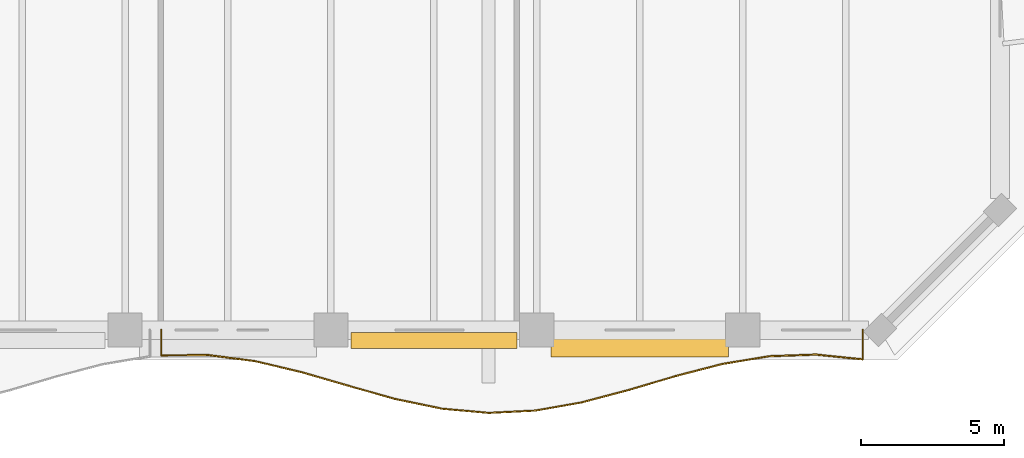
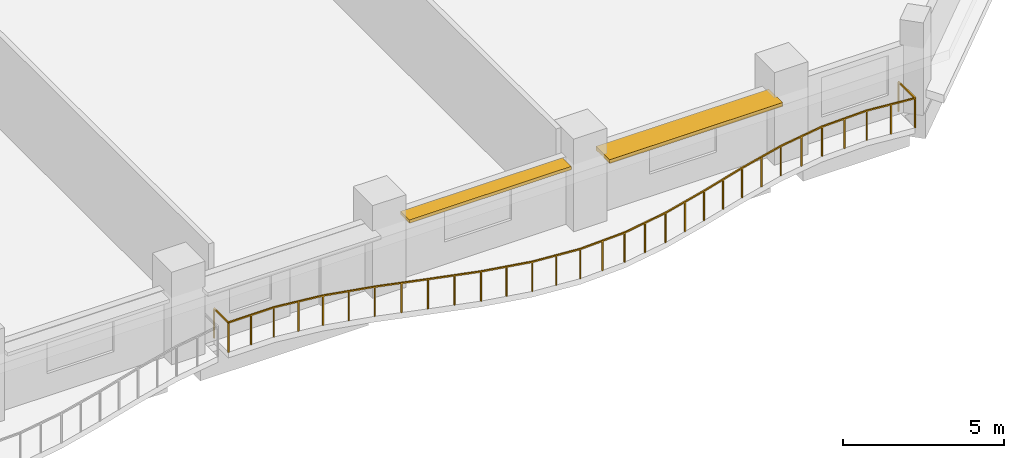
# One storey, part 14 of 15: 2 shading devices, 1 railing.
"""IFC4 building model written with IfcOpenShell, lengths in metres."""

from ifc_helpers import new_model, si_unit, direction, frame, origin, origin_2d, place, context, subcontext, project, spatial, rectangle, extrude, material, layer, layer_set, type_object, element, save


model = new_model("IFC4")

# Units and contexts
model_context = context("Model", 3, precision=1e-05, world=origin(), true_north=direction((0.0, 1.0)))
body_context = subcontext(model_context, "Body", "Model", "MODEL_VIEW")
ifc_project = project(units=[si_unit("LENGTHUNIT", "METRE"), si_unit("AREAUNIT", "SQUARE_METRE"), si_unit("VOLUMEUNIT", "CUBIC_METRE"), si_unit("PLANEANGLEUNIT", "RADIAN"), si_unit("MASSUNIT", "GRAM", prefix="KILO")], contexts=[model_context])

# Site, building, storey
site_placement = place(None, origin())
site = spatial("IfcSite", under=ifc_project, at=site_placement, CompositionType="ELEMENT")
building_placement = place(site_placement, origin())
building = spatial("IfcBuilding", under=site, at=building_placement, Name="Kaelvorn Grand Hotel", CompositionType="ELEMENT")
storey_placement = place(building_placement, frame((0.0, 0.0, 111.800048828125)))
storey = spatial("IfcBuildingStorey", under=building, at=storey_placement, Name="L26", CompositionType="ELEMENT", Elevation=111.800048828125)

# Railing
ifc_material_1 = material(Name="Stainless Steel", Category="steel")
railing_type = type_object("IfcRailingType", Name="RL-BALC-1150", PredefinedType="BALUSTRADE", material=ifc_material_1)
railing_placement = place(storey_placement, frame((54.666748046875, 0.0, 0.0)))
element("IfcRailing", 1, at=railing_placement, inside=storey, type_object=railing_type, Name="L26 Scalloped Wave Balcony Balustrade GR1-3", PredefinedType="BALUSTRADE", context=body_context, shape_type="SweptSolid", body=[
    extrude(rectangle(XDim=0.048095703125, YDim=0.048095703125, at=origin_2d()), frame((0.0, 0.0, 1.1259765625), z_axis=(0.0, -1.0, 0.0), x_axis=(1.0, 0.0, 0.0)), (0.0, 0.0, 1.0), 0.884521484375),
    extrude(rectangle(XDim=0.048095703125, YDim=0.048095703125, at=origin_2d()), frame((0.0, -0.884521484375, 1.1259765625), z_axis=(0.999978430437, 0.006568002827, 0.0), x_axis=(-0.006568002827, 0.999978430437, 0.0)), (0.0, 0.0, 1.0), 1.635498046875),
    extrude(rectangle(XDim=0.048095703125, YDim=0.048095703125, at=origin_2d()), frame((1.635498046875, -0.873779296875, 1.1259765625), z_axis=(0.991728699093, -0.128351811034, 0.0), x_axis=(0.128351811034, 0.991728699093, 0.0)), (0.0, 0.0, 1.0), 1.649169921875),
    extrude(rectangle(XDim=0.048095703125, YDim=0.048095703125, at=origin_2d()), frame((3.27099609375, -1.08544921875, 1.1259765625), z_axis=(0.973100001254, -0.230383132108, 0.0), x_axis=(0.230383132108, 0.973100001254, 0.0)), (0.0, 0.0, 1.0), 1.6806640625),
    extrude(rectangle(XDim=0.048095703125, YDim=0.048095703125, at=origin_2d()), frame((4.906494140625, -1.47265625, 1.1259765625), z_axis=(0.960083412967, -0.279713854047, 0.0), x_axis=(0.279713854047, 0.960083412967, 0.0)), (0.0, 0.0, 1.0), 1.703857421875),
    extrude(rectangle(XDim=0.048095703125, YDim=0.048095703125, at=origin_2d()), frame((6.542236328125, -1.94921875, 1.1259765625), z_axis=(0.962654451324, -0.270733092446, 0.0), x_axis=(0.270733092446, 0.962654451324, 0.0)), (0.0, 0.0, 1.0), 1.698974609375),
    extrude(rectangle(XDim=0.048095703125, YDim=0.048095703125, at=origin_2d()), frame((8.177734375, -2.4091796875, 1.1259765625), z_axis=(0.978911067954, -0.20428685968, 0.0), x_axis=(0.20428685968, 0.978911067954, 0.0)), (0.0, 0.0, 1.0), 1.670654296875),
    extrude(rectangle(XDim=0.048095703125, YDim=0.048095703125, at=origin_2d()), frame((9.813232421875, -2.75048828125, 1.1259765625), z_axis=(0.9959865086, -0.089503489801, 0.0), x_axis=(0.089503489801, 0.9959865086, 0.0)), (0.0, 0.0, 1.0), 1.64208984375),
    extrude(rectangle(XDim=0.048095703125, YDim=0.048095703125, at=origin_2d()), frame((11.44873046875, -2.8974609375, 1.1259765625), z_axis=(0.998796551064, 0.049045382881, 0.0), x_axis=(-0.049045382881, 0.998796551064, 0.0)), (0.0, 0.0, 1.0), 1.6376953125),
    extrude(rectangle(XDim=0.048095703125, YDim=0.048095703125, at=origin_2d()), frame((13.08447265625, -2.817138671875, 1.1259765625), z_axis=(0.984712445929, 0.174187826306, 0.0), x_axis=(-0.174187826306, 0.984712445929, 0.0)), (0.0, 0.0, 1.0), 1.660888671875),
    extrude(rectangle(XDim=0.048095703125, YDim=0.048095703125, at=origin_2d()), frame((14.719970703125, -2.52783203125, 1.1259765625), z_axis=(0.966464429191, 0.256800520072, 0.0), x_axis=(-0.256800520072, 0.966464429191, 0.0)), (0.0, 0.0, 1.0), 1.692138671875),
    extrude(rectangle(XDim=0.048095703125, YDim=0.048095703125, at=origin_2d()), frame((16.35546875, -2.09326171875, 1.1259765625), z_axis=(0.959066322629, 0.283181547419, 0.0), x_axis=(-0.283181547419, 0.959066322629, 0.0)), (0.0, 0.0, 1.0), 1.705322265625),
    extrude(rectangle(XDim=0.048095703125, YDim=0.048095703125, at=origin_2d()), frame((17.990966796875, -1.6103515625, 1.1259765625), z_axis=(0.967989097059, 0.250992246842, 0.0), x_axis=(-0.250992246842, 0.967989097059, 0.0)), (0.0, 0.0, 1.0), 1.689697265625),
    extrude(rectangle(XDim=0.048095703125, YDim=0.048095703125, at=origin_2d()), frame((19.62646484375, -1.186279296875, 1.1259765625), z_axis=(0.986528894242, 0.163587104702, 0.0), x_axis=(-0.163587104702, 0.986528894242, 0.0)), (0.0, 0.0, 1.0), 1.657958984375),
    extrude(rectangle(XDim=0.048095703125, YDim=0.048095703125, at=origin_2d()), frame((21.26220703125, -0.9150390625, 1.1259765625), z_axis=(0.999374770744, 0.035356295069, 0.0), x_axis=(-0.035356295069, 0.999374770744, 0.0)), (0.0, 0.0, 1.0), 1.636474609375),
    extrude(rectangle(XDim=0.048095703125, YDim=0.048095703125, at=origin_2d()), frame((22.897705078125, -0.857177734375, 1.1259765625), z_axis=(0.994767517021, -0.102164509884, 0.0), x_axis=(0.102164509884, 0.994767517021, 0.0)), (0.0, 0.0, 1.0), 1.64404296875),
    extrude(rectangle(XDim=0.048095703125, YDim=0.048095703125, at=origin_2d()), frame((24.533203125, -1.025146484375, 1.1259765625), z_axis=(0.0, 1.0, 0.0), x_axis=(-1.0, 0.0, 0.0)), (0.0, 0.0, 1.0), 1.025146484375),
    extrude(rectangle(XDim=0.0419921875, YDim=0.0419921875, at=origin_2d()), origin(), (0.0, 0.0, 1.0), 1.101806640625),
    extrude(rectangle(XDim=0.0419921875, YDim=0.0419921875, at=origin_2d()), frame((0.0, -0.884521484375, 0.0)), (0.0, 0.0, 1.0), 1.101806640625),
    extrude(rectangle(XDim=0.0419921875, YDim=0.0419921875, at=origin_2d()), frame((0.81787109375, -0.879150390625, 0.0)), (0.0, 0.0, 1.0), 1.101806640625),
    extrude(rectangle(XDim=0.0419921875, YDim=0.0419921875, at=origin_2d()), frame((1.635498046875, -0.873779296875, 0.0)), (0.0, 0.0, 1.0), 1.101806640625),
    extrude(rectangle(XDim=0.0419921875, YDim=0.0419921875, at=origin_2d()), frame((2.453125, -0.9794921875, 0.0)), (0.0, 0.0, 1.0), 1.101806640625),
    extrude(rectangle(XDim=0.0419921875, YDim=0.0419921875, at=origin_2d()), frame((3.27099609375, -1.08544921875, 0.0)), (0.0, 0.0, 1.0), 1.101806640625),
    extrude(rectangle(XDim=0.0419921875, YDim=0.0419921875, at=origin_2d()), frame((4.0888671875, -1.279052734375, 0.0)), (0.0, 0.0, 1.0), 1.101806640625),
    extrude(rectangle(XDim=0.0419921875, YDim=0.0419921875, at=origin_2d()), frame((4.906494140625, -1.47265625, 0.0)), (0.0, 0.0, 1.0), 1.101806640625),
    extrude(rectangle(XDim=0.0419921875, YDim=0.0419921875, at=origin_2d()), frame((5.724365234375, -1.7109375, 0.0)), (0.0, 0.0, 1.0), 1.101806640625),
    extrude(rectangle(XDim=0.0419921875, YDim=0.0419921875, at=origin_2d()), frame((6.542236328125, -1.94921875, 0.0)), (0.0, 0.0, 1.0), 1.101806640625),
    extrude(rectangle(XDim=0.0419921875, YDim=0.0419921875, at=origin_2d()), frame((7.35986328125, -2.17919921875, 0.0)), (0.0, 0.0, 1.0), 1.101806640625),
    extrude(rectangle(XDim=0.0419921875, YDim=0.0419921875, at=origin_2d()), frame((8.177734375, -2.4091796875, 0.0)), (0.0, 0.0, 1.0), 1.101806640625),
    extrude(rectangle(XDim=0.0419921875, YDim=0.0419921875, at=origin_2d()), frame((8.99560546875, -2.579833984375, 0.0)), (0.0, 0.0, 1.0), 1.101806640625),
    extrude(rectangle(XDim=0.0419921875, YDim=0.0419921875, at=origin_2d()), frame((9.813232421875, -2.75048828125, 0.0)), (0.0, 0.0, 1.0), 1.101806640625),
    extrude(rectangle(XDim=0.0419921875, YDim=0.0419921875, at=origin_2d()), frame((10.630859375, -2.823974609375, 0.0)), (0.0, 0.0, 1.0), 1.101806640625),
    extrude(rectangle(XDim=0.0419921875, YDim=0.0419921875, at=origin_2d()), frame((11.44873046875, -2.8974609375, 0.0)), (0.0, 0.0, 1.0), 1.101806640625),
    extrude(rectangle(XDim=0.0419921875, YDim=0.0419921875, at=origin_2d()), frame((12.2666015625, -2.857421875, 0.0)), (0.0, 0.0, 1.0), 1.101806640625),
    extrude(rectangle(XDim=0.0419921875, YDim=0.0419921875, at=origin_2d()), frame((13.08447265625, -2.817138671875, 0.0)), (0.0, 0.0, 1.0), 1.101806640625),
    extrude(rectangle(XDim=0.0419921875, YDim=0.0419921875, at=origin_2d()), frame((13.90234375, -2.67236328125, 0.0)), (0.0, 0.0, 1.0), 1.101806640625),
    extrude(rectangle(XDim=0.0419921875, YDim=0.0419921875, at=origin_2d()), frame((14.719970703125, -2.52783203125, 0.0)), (0.0, 0.0, 1.0), 1.101806640625),
    extrude(rectangle(XDim=0.0419921875, YDim=0.0419921875, at=origin_2d()), frame((15.53759765625, -2.310546875, 0.0)), (0.0, 0.0, 1.0), 1.101806640625),
    extrude(rectangle(XDim=0.0419921875, YDim=0.0419921875, at=origin_2d()), frame((16.35546875, -2.09326171875, 0.0)), (0.0, 0.0, 1.0), 1.101806640625),
    extrude(rectangle(XDim=0.0419921875, YDim=0.0419921875, at=origin_2d()), frame((17.17333984375, -1.851806640625, 0.0)), (0.0, 0.0, 1.0), 1.101806640625),
    extrude(rectangle(XDim=0.0419921875, YDim=0.0419921875, at=origin_2d()), frame((17.990966796875, -1.6103515625, 0.0)), (0.0, 0.0, 1.0), 1.101806640625),
    extrude(rectangle(XDim=0.0419921875, YDim=0.0419921875, at=origin_2d()), frame((18.80859375, -1.3984375, 0.0)), (0.0, 0.0, 1.0), 1.101806640625),
    extrude(rectangle(XDim=0.0419921875, YDim=0.0419921875, at=origin_2d()), frame((19.62646484375, -1.186279296875, 0.0)), (0.0, 0.0, 1.0), 1.101806640625),
    extrude(rectangle(XDim=0.0419921875, YDim=0.0419921875, at=origin_2d()), frame((20.4443359375, -1.05078125, 0.0)), (0.0, 0.0, 1.0), 1.101806640625),
    extrude(rectangle(XDim=0.0419921875, YDim=0.0419921875, at=origin_2d()), frame((21.26220703125, -0.9150390625, 0.0)), (0.0, 0.0, 1.0), 1.101806640625),
    extrude(rectangle(XDim=0.0419921875, YDim=0.0419921875, at=origin_2d()), frame((22.080078125, -0.88623046875, 0.0)), (0.0, 0.0, 1.0), 1.101806640625),
    extrude(rectangle(XDim=0.0419921875, YDim=0.0419921875, at=origin_2d()), frame((22.897705078125, -0.857177734375, 0.0)), (0.0, 0.0, 1.0), 1.101806640625),
    extrude(rectangle(XDim=0.0419921875, YDim=0.0419921875, at=origin_2d()), frame((23.71533203125, -0.941162109375, 0.0)), (0.0, 0.0, 1.0), 1.101806640625),
    extrude(rectangle(XDim=0.0419921875, YDim=0.0419921875, at=origin_2d()), frame((24.533203125, -1.025146484375, 0.0)), (0.0, 0.0, 1.0), 1.101806640625),
    extrude(rectangle(XDim=0.0419921875, YDim=0.0419921875, at=origin_2d()), frame((24.533203125, 0.0, 0.0)), (0.0, 0.0, 1.0), 1.101806640625),
])

# Shading devices
ifc_material_2 = material(Name="Precast concrete C45/55", Category="concrete")
ifc_layer_1 = layer(ifc_material_2, 0.1201171875)
ifc_layer_set_1 = layer_set([ifc_layer_1], Name="Precast concrete C45/55")
shading_device_type_1 = type_object("IfcShadingDeviceType", Name="SHD-SUNSHADE-550", PredefinedType="USERDEFINED", material=ifc_layer_set_1)
shading_device_1_placement = place(storey_placement, frame((64.199951171875, -0.364990234375, 2.419921875), z_axis=(0.0, 0.0, 1.0), x_axis=(1.0, 0.0, 0.0)))
element("IfcShadingDevice", 2, at=shading_device_1_placement, inside=storey, type_object=shading_device_type_1, Name="L26 Horizontal Concrete Sunshade Band SS-09", ObjectType="SUNSHADE", PredefinedType="USERDEFINED", context=body_context, shape_type="SweptSolid", body=[
    extrude(rectangle(XDim=5.800048828125, YDim=0.550048828125, at=origin_2d()), origin(), (0.0, 0.0, 1.0), 0.1201171875),
])
ifc_layer_2 = layer(ifc_material_2, 0.139892578125)
ifc_layer_set_2 = layer_set([ifc_layer_2], Name="Precast concrete C45/55")
shading_device_type_2 = type_object("IfcShadingDeviceType", Name="SHD-SUNSHADE-850", PredefinedType="USERDEFINED", material=ifc_layer_set_2)
shading_device_2_placement = place(storey_placement, frame((71.39990234375, -0.514892578125, 2.41015625), z_axis=(0.0, 0.0, 1.0), x_axis=(1.0, 0.0, 0.0)))
element("IfcShadingDevice", 3, at=shading_device_2_placement, inside=storey, type_object=shading_device_type_2, Name="L26 Horizontal Concrete Sunshade Band SS-10", ObjectType="SUNSHADE", PredefinedType="USERDEFINED", context=body_context, shape_type="SweptSolid", body=[
    extrude(rectangle(XDim=6.199951171875, YDim=0.85009765625, at=origin_2d()), origin(), (0.0, 0.0, 1.0), 0.139892578125),
])

save(model, "model.ifc")
